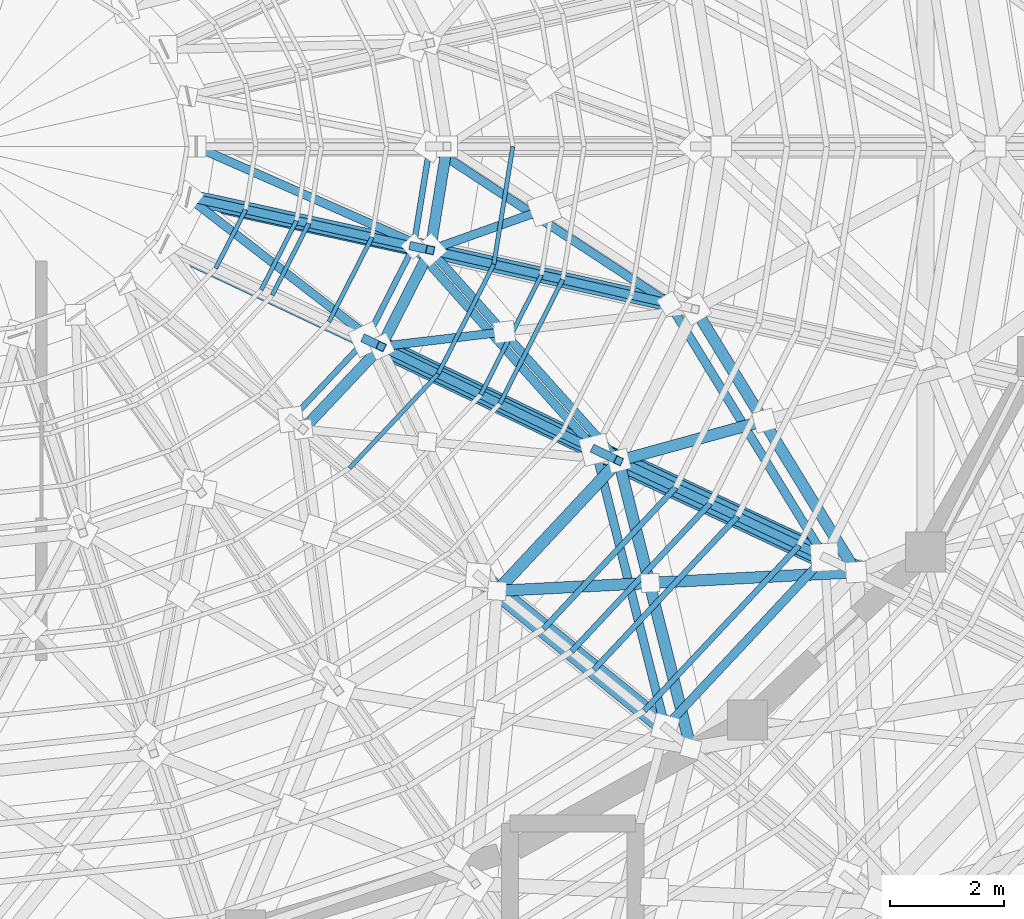
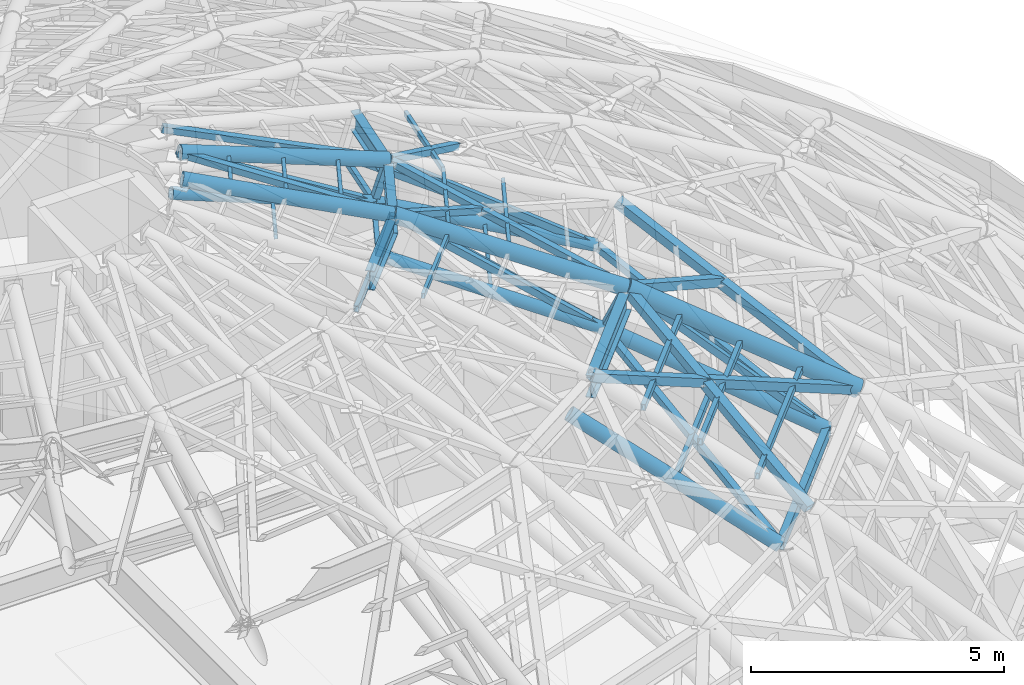
# One storey, part 19 of 50: 47 members, 4 beams.
"""IFC4 building model written with IfcOpenShell, lengths in metres."""

from ifc_helpers import new_model, si_unit, direction, frame, origin, origin_2d, place, context, subcontext, project, spatial, hollow_rectangle, hollow_circle, i_section, extrude, material, material_profile, profile_set, type_object, element, save


model = new_model("IFC4")

# Units and contexts
model_context = context("Model", 3, precision=1e-05, world=origin(), true_north=direction((0.0, 1.0)))
body_context = subcontext(model_context, "Body", "Model", "MODEL_VIEW")
ifc_project = project(units=[si_unit("LENGTHUNIT", "METRE"), si_unit("AREAUNIT", "SQUARE_METRE"), si_unit("VOLUMEUNIT", "CUBIC_METRE"), si_unit("PLANEANGLEUNIT", "RADIAN"), si_unit("MASSUNIT", "GRAM", prefix="KILO")], contexts=[model_context])

# Site, building, storey
site_placement = place(None, origin())
site = spatial("IfcSite", under=ifc_project, at=site_placement, CompositionType="ELEMENT")
building_placement = place(site_placement, origin())
building = spatial("IfcBuilding", under=site, at=building_placement, Name="Cinderbank Siding Concert Hall", CompositionType="ELEMENT")
storey_placement = place(building_placement, frame((0.0, 0.0, 23.699951171875)))
storey = spatial("IfcBuildingStorey", under=building, at=storey_placement, Name="L06", CompositionType="ELEMENT", Elevation=23.699951171875)

# Beams
ifc_material_1 = material(Name="Structural steel AS/NZS 3679.1 Grade 350 (340 MPa)", Category="steel")
ifc_material_profile_1 = material_profile(ifc_material_1, i_section(OverallWidth=0.19091796875, OverallDepth=0.46044921875, WebThickness=0.010009765625, FlangeThickness=0.01611328125, at=origin_2d()), Name="460UB82.1", Category="LoadBearing")
ifc_profile_set_1 = profile_set([ifc_material_profile_1], Name="Structural steel AS/NZS 3679.1 Grade 350 (340 MPa)")
beam_type_1 = type_object("IfcBeamType", Name="BM-UB460H 460UB82.1", PredefinedType="BEAM", material=ifc_profile_set_1)
beam_1_placement = place(storey_placement, frame((128.0810546875, 39.05029296875, 15.769775390625), z_axis=(0.685968385117, 0.72763134527, 0.0), x_axis=(-0.72763134527, 0.685968385117, 0.0)))
element("IfcBeam", 1, at=beam_1_placement, inside=storey, type_object=beam_type_1, Name="L06 Beam BM-UB460H #2107", PredefinedType="BEAM", context=body_context, shape_type="SweptSolid", body=[
    extrude(i_section(OverallWidth=0.19091796875, OverallDepth=0.46044921875, WebThickness=0.010009765625, FlangeThickness=0.01611328125, at=origin_2d()), origin(), (0.0, 0.0, 1.0), 1.992431640625),
])
beam_2_placement = place(storey_placement, frame((129.44775390625, 40.5, 15.769775390625), z_axis=(0.453543458503, 0.89123416185, 0.0), x_axis=(-0.89123416185, 0.453543458503, 0.0)))
element("IfcBeam", 2, at=beam_2_placement, inside=storey, type_object=beam_type_1, Name="L06 Beam BM-UB460H #2108", PredefinedType="BEAM", context=body_context, shape_type="SweptSolid", body=[
    extrude(i_section(OverallWidth=0.19091796875, OverallDepth=0.46044921875, WebThickness=0.010009765625, FlangeThickness=0.01611328125, at=origin_2d()), origin(), (0.0, 0.0, 1.0), 1.894287109375),
])
beam_3_placement = place(storey_placement, frame((130.306884765625, 42.188232421875, 15.769775390625), z_axis=(0.159759377385, 0.987155986325, 0.0), x_axis=(-0.987155986325, 0.159759377385, 0.0)))
element("IfcBeam", 3, at=beam_3_placement, inside=storey, type_object=beam_type_1, Name="L06 Beam BM-UB460H #2109", PredefinedType="BEAM", context=body_context, shape_type="SweptSolid", body=[
    extrude(i_section(OverallWidth=0.19091796875, OverallDepth=0.46044921875, WebThickness=0.010009765625, FlangeThickness=0.01611328125, at=origin_2d()), origin(), (0.0, 0.0, 1.0), 1.83544921875),
])
ifc_material_profile_2 = material_profile(ifc_material_1, i_section(OverallWidth=0.208984375, OverallDepth=0.532958984375, WebThickness=0.01025390625, FlangeThickness=0.015625, at=origin_2d()), Name="530UB92.4", Category="LoadBearing")
ifc_profile_set_2 = profile_set([ifc_material_profile_2], Name="Structural steel AS/NZS 3679.1 Grade 350 (340 MPa)")
beam_type_2 = type_object("IfcBeamType", Name="BM-UB530H 530UB92.4", PredefinedType="BEAM", material=ifc_profile_set_2)
beam_4_placement = place(storey_placement, frame((131.47509765625, 36.2216796875, 13.733642578125), z_axis=(0.682867530153, 0.730542220726, 0.0), x_axis=(-0.730542220726, 0.682867530153, 0.0)))
element("IfcBeam", 4, at=beam_4_placement, inside=storey, type_object=beam_type_2, Name="L06 Beam BM-UB530H #2091", PredefinedType="BEAM", context=body_context, shape_type="SweptSolid", body=[
    extrude(i_section(OverallWidth=0.208984375, OverallDepth=0.532958984375, WebThickness=0.01025390625, FlangeThickness=0.015625, at=origin_2d()), origin(), (0.0, 0.0, 1.0), 3.11865234375),
])

# Members
ifc_material_2 = material(Name="Structural steel hollow section AS/NZS 1163 Grade C350L0 (350 MPa)", Category="steel")
ifc_material_profile_3 = material_profile(ifc_material_2, hollow_rectangle(XDim=0.14990234375, YDim=0.14990234375, WallThickness=0.008056640625, at=origin_2d()), Name="150x150x8.0SHS", Category="LoadBearing")
ifc_profile_set_3 = profile_set([ifc_material_profile_3], Name="Structural steel hollow section AS/NZS 1163 Grade C350L0 (350 MPa)")
member_type_1 = type_object("IfcMemberType", Name="BR-SHS150 150x150x8.0SHS Roof Truss", PredefinedType="BRACE", material=ifc_profile_set_3)
member_1_placement = place(storey_placement, frame((134.4189453125, 33.8330078125, 10.35009765625), z_axis=(-0.214436675536, 0.853800278028, 0.474385916133), x_axis=(-0.969878223295, -0.24359029533, 0.0)))
element("IfcMember", 5, at=member_1_placement, inside=storey, type_object=member_type_1, Name="L06 Diagonal Brace BR-SHS150 #DBRI-BR-SHS150-L06-1367", PredefinedType="BRACE", context=body_context, shape_type="SweptSolid", body=[
    extrude(hollow_rectangle(XDim=0.14990234375, YDim=0.14990234375, WallThickness=0.008056640625, at=origin_2d()), origin(), (0.0, 0.0, 1.0), 5.69140625),
])
member_2_placement = place(storey_placement, frame((137.2099609375, 36.810791015625, 10.35009765625), z_axis=(-0.667487033286, 0.312747530528, 0.675758864199), x_axis=(-0.424281475466, -0.905530358175, 0.0)))
element("IfcMember", 6, at=member_2_placement, inside=storey, type_object=member_type_1, Name="L06 Diagonal Brace BR-SHS150 #DWBD-BR-SHS150-L06-1370", PredefinedType="BRACE", context=body_context, shape_type="SweptSolid", body=[
    extrude(hollow_rectangle(XDim=0.14990234375, YDim=0.14990234375, WallThickness=0.008056640625, at=origin_2d()), origin(), (0.0, 0.0, 1.0), 5.401123046875),
])
member_3_placement = place(storey_placement, frame((137.2099609375, 36.810791015625, 10.35009765625), z_axis=(-0.4635618095, 0.757163440348, 0.460232520986), x_axis=(-0.85285513817, -0.522147597234, 0.0)))
element("IfcMember", 7, at=member_3_placement, inside=storey, type_object=member_type_1, Name="L06 Diagonal Brace BR-SHS150 #DBRI-BR-SHS150-L06-1379", PredefinedType="BRACE", context=body_context, shape_type="SweptSolid", body=[
    extrude(hollow_rectangle(XDim=0.14990234375, YDim=0.14990234375, WallThickness=0.008056640625, at=origin_2d()), origin(), (0.0, 0.0, 1.0), 5.866455078125),
])
member_4_placement = place(storey_placement, frame((133.198486328125, 38.6923828125, 13.050048828125), z_axis=(-0.73504663537, 0.354246259733, 0.578114202641), x_axis=(-0.434148801716, -0.900841172443, 0.0)))
element("IfcMember", 8, at=member_4_placement, inside=storey, type_object=member_type_1, Name="L06 Diagonal Brace BR-SHS150 #DWBD-BR-SHS150-L06-1658", PredefinedType="BRACE", context=body_context, shape_type="SweptSolid", body=[
    extrude(hollow_rectangle(XDim=0.14990234375, YDim=0.14990234375, WallThickness=0.008056640625, at=origin_2d()), origin(), (0.0, 0.0, 1.0), 5.102783203125),
])
member_5_placement = place(storey_placement, frame((133.198486328125, 38.6923828125, 13.050048828125), z_axis=(0.386561752789, -0.183059291585, 0.903913329388), x_axis=(0.427992952164, 0.903782071574, 0.0)))
element("IfcMember", 9, at=member_5_placement, inside=storey, type_object=member_type_1, Name="L06 Diagonal Brace BR-SHS150 #DWBV-BR-SHS150-L06-1661", PredefinedType="BRACE", context=body_context, shape_type="SweptSolid", body=[
    extrude(hollow_rectangle(XDim=0.14990234375, YDim=0.14990234375, WallThickness=0.008056640625, at=origin_2d()), origin(), (0.0, 0.0, 1.0), 1.051025390625),
])
member_6_placement = place(storey_placement, frame((133.604736328125, 38.5, 14.0), z_axis=(-0.617973178116, 0.691125318463, 0.374773191822), x_axis=(-0.745456798918, -0.666553944514, 0.0)))
element("IfcMember", 10, at=member_6_placement, inside=storey, type_object=member_type_1, Name="L06 Diagonal Brace BR-SHS150 #DBRO-BR-SHS150-L06-1665", PredefinedType="BRACE", context=body_context, shape_type="SweptSolid", body=[
    extrude(hollow_rectangle(XDim=0.14990234375, YDim=0.14990234375, WallThickness=0.008056640625, at=origin_2d()), origin(), (0.0, 0.0, 1.0), 5.336669921875),
])
member_7_placement = place(storey_placement, frame((131.57470703125, 40.752685546875, 15.225830078125), z_axis=(-0.933888070446, -0.110947446386, 0.339917248781), x_axis=(0.117972050955, -0.993016915865, 0.0)))
element("IfcMember", 11, at=member_7_placement, inside=storey, type_object=member_type_1, Name="L06 Diagonal Brace BR-SHS150 #DBRO-BR-SHS150-L06-1666-S151", PredefinedType="BRACE", context=body_context, shape_type="SweptSolid", body=[
    extrude(hollow_rectangle(XDim=0.14990234375, YDim=0.14990234375, WallThickness=0.008056640625, at=origin_2d()), origin(), (0.0, 0.0, 1.0), 2.277587890625),
])
member_8_placement = place(storey_placement, frame((133.198486328125, 38.6923828125, 13.050048828125), z_axis=(-0.614771411868, 0.687591286047, 0.386360368701), x_axis=(-0.745479313426, -0.666528764011, 0.0)))
element("IfcMember", 12, at=member_8_placement, inside=storey, type_object=member_type_1, Name="L06 Diagonal Brace BR-SHS150 #DBRI-BR-SHS150-L06-1667", PredefinedType="BRACE", context=body_context, shape_type="SweptSolid", body=[
    extrude(hollow_rectangle(XDim=0.14990234375, YDim=0.14990234375, WallThickness=0.008056640625, at=origin_2d()), origin(), (0.0, 0.0, 1.0), 5.176513671875),
])
member_9_placement = place(storey_placement, frame((134.490478515625, 41.252685546875, 13.050048828125), z_axis=(-0.803944085996, 0.179780213442, 0.566880041497), x_axis=(-0.218232746795, -0.975896750802, 0.0)))
element("IfcMember", 13, at=member_9_placement, inside=storey, type_object=member_type_1, Name="L06 Diagonal Brace BR-SHS150 #DWBD-BR-SHS150-L06-1670", PredefinedType="BRACE", context=body_context, shape_type="SweptSolid", body=[
    extrude(hollow_rectangle(XDim=0.14990234375, YDim=0.14990234375, WallThickness=0.008056640625, at=origin_2d()), origin(), (0.0, 0.0, 1.0), 5.203857421875),
])
member_10_placement = place(storey_placement, frame((132.275146484375, 42.888427734375, 15.22705078125), z_axis=(-0.883617226617, -0.314340635814, 0.347002249996), x_axis=(0.335166438273, -0.942158934923, 0.0)))
element("IfcMember", 14, at=member_10_placement, inside=storey, type_object=member_type_1, Name="L06 Diagonal Brace BR-SHS150 #DBRO-BR-SHS150-L06-1678-S152", PredefinedType="BRACE", context=body_context, shape_type="SweptSolid", body=[
    extrude(hollow_rectangle(XDim=0.14990234375, YDim=0.14990234375, WallThickness=0.008056640625, at=origin_2d()), origin(), (0.0, 0.0, 1.0), 2.2275390625),
])
member_11_placement = place(storey_placement, frame((134.490478515625, 41.252685546875, 13.050048828125), z_axis=(-0.776777634461, 0.509149506092, 0.370652515232), x_axis=(-0.548196669486, -0.83634945541, 0.0)))
element("IfcMember", 15, at=member_11_placement, inside=storey, type_object=member_type_1, Name="L06 Diagonal Brace BR-SHS150 #DBRI-BR-SHS150-L06-1679", PredefinedType="BRACE", context=body_context, shape_type="SweptSolid", body=[
    extrude(hollow_rectangle(XDim=0.14990234375, YDim=0.14990234375, WallThickness=0.008056640625, at=origin_2d()), origin(), (0.0, 0.0, 1.0), 5.39599609375),
])
member_12_placement = place(storey_placement, frame((129.18701171875, 40.62255859375, 15.050048828125), z_axis=(0.262664795398, -0.12346229147, 0.956955729302), x_axis=(0.425388902363, 0.905010652836, 0.0)))
element("IfcMember", 16, at=member_12_placement, inside=storey, type_object=member_type_1, Name="L06 Diagonal Brace BR-SHS150 #DWBV-BR-SHS150-L06-1905", PredefinedType="BRACE", context=body_context, shape_type="SweptSolid", body=[
    extrude(hollow_rectangle(XDim=0.14990234375, YDim=0.14990234375, WallThickness=0.008056640625, at=origin_2d()), origin(), (0.0, 0.0, 1.0), 0.99267578125),
])
member_13_placement = place(storey_placement, frame((129.44775390625, 40.5, 16.0), z_axis=(-0.76644300315, 0.592228836475, 0.248656647145), x_axis=(-0.611432907661, -0.791296277907, 0.0)))
element("IfcMember", 17, at=member_13_placement, inside=storey, type_object=member_type_1, Name="L06 Diagonal Brace BR-SHS150 #DBRO-BR-SHS150-L06-1909", PredefinedType="BRACE", context=body_context, shape_type="SweptSolid", body=[
    extrude(hollow_rectangle(XDim=0.14990234375, YDim=0.14990234375, WallThickness=0.008056640625, at=origin_2d()), origin(), (0.0, 0.0, 1.0), 4.424072265625),
])
member_14_placement = place(storey_placement, frame((130.01611328125, 42.251708984375, 15.050048828125), z_axis=(-0.871638691427, 0.191183253709, 0.451325774922), x_axis=(-0.214244713717, -0.976780017529, 0.0)))
element("IfcMember", 18, at=member_14_placement, inside=storey, type_object=member_type_1, Name="L06 Diagonal Brace BR-SHS150 #DWBD-BR-SHS150-L06-1912", PredefinedType="BRACE", context=body_context, shape_type="SweptSolid", body=[
    extrude(hollow_rectangle(XDim=0.14990234375, YDim=0.14990234375, WallThickness=0.008056640625, at=origin_2d()), origin(), (0.0, 0.0, 1.0), 4.542236328125),
])
member_15_placement = place(storey_placement, frame((130.01611328125, 42.251708984375, 15.050048828125), z_axis=(0.292091130576, -0.063764646473, 0.954262459337), x_axis=(0.213280969958, 0.976990904693, 0.0)))
element("IfcMember", 19, at=member_15_placement, inside=storey, type_object=member_type_1, Name="L06 Diagonal Brace BR-SHS150 #DWBV-BR-SHS150-L06-1915", PredefinedType="BRACE", context=body_context, shape_type="SweptSolid", body=[
    extrude(hollow_rectangle(XDim=0.14990234375, YDim=0.14990234375, WallThickness=0.008056640625, at=origin_2d()), origin(), (0.0, 0.0, 1.0), 0.995361328125),
])
member_16_placement = place(storey_placement, frame((130.306884765625, 42.188232421875, 16.0), z_axis=(-0.88862989198, 0.392017740363, 0.238031523794), x_axis=(-0.403618781795, -0.914927253383, 0.0)))
element("IfcMember", 20, at=member_16_placement, inside=storey, type_object=member_type_1, Name="L06 Diagonal Brace BR-SHS150 #DBRO-BR-SHS150-L06-1919", PredefinedType="BRACE", context=body_context, shape_type="SweptSolid", body=[
    extrude(hollow_rectangle(XDim=0.14990234375, YDim=0.14990234375, WallThickness=0.008056640625, at=origin_2d()), origin(), (0.0, 0.0, 1.0), 4.62158203125),
])
ifc_material_profile_4 = material_profile(ifc_material_2, hollow_rectangle(XDim=0.199951171875, YDim=0.199951171875, WallThickness=0.009033203125, at=origin_2d()), Name="200x200x9.0SHS", Category="LoadBearing")
ifc_profile_set_4 = profile_set([ifc_material_profile_4], Name="Structural steel hollow section AS/NZS 1163 Grade C350L0 (350 MPa)")
member_type_2 = type_object("IfcMemberType", Name="BR-SHS200 200x200x9.0SHS Roof Truss", PredefinedType="BRACE", material=ifc_profile_set_4)
member_17_placement = place(storey_placement, frame((134.869384765625, 33.464111328125, 11.300048828125), z_axis=(-0.216094791752, 0.860499472872, 0.461349865249), x_axis=(-0.969884726621, -0.243564400247, 0.0)))
element("IfcMember", 21, at=member_17_placement, inside=storey, type_object=member_type_2, Name="L06 Diagonal Brace BR-SHS200 #DBRO-BR-SHS200-L06-1365", PredefinedType="BRACE", context=body_context, shape_type="SweptSolid", body=[
    extrude(hollow_rectangle(XDim=0.199951171875, YDim=0.199951171875, WallThickness=0.009033203125, at=origin_2d()), origin(), (0.0, 0.0, 1.0), 5.852294921875),
])
member_18_placement = place(storey_placement, frame((137.76171875, 36.550048828125, 11.300048828125), z_axis=(-0.917787030053, -0.04791209968, 0.394171787638), x_axis=(0.05213295132, -0.998640153102, 0.0)))
element("IfcMember", 22, at=member_18_placement, inside=storey, type_object=member_type_2, Name="L06 Diagonal Brace BR-SHS200 #DBRO-BR-SHS200-L06-1366", PredefinedType="BRACE", context=body_context, shape_type="SweptSolid", body=[
    extrude(hollow_rectangle(XDim=0.199951171875, YDim=0.199951171875, WallThickness=0.009033203125, at=origin_2d()), origin(), (0.0, 0.0, 1.0), 3.9287109375),
])
member_19_placement = place(storey_placement, frame((134.12841796875, 36.3603515625, 12.860595703125), z_axis=(-0.917802828607, -0.047967611948, 0.39412824817), x_axis=(0.052192293555, -0.998637053435, 0.0)))
element("IfcMember", 23, at=member_19_placement, inside=storey, type_object=member_type_2, Name="L06 Diagonal Brace BR-SHS200 #DBRO-BR-SHS200-L06-1366-S126", PredefinedType="BRACE", context=body_context, shape_type="SweptSolid", body=[
    extrude(hollow_rectangle(XDim=0.199951171875, YDim=0.199951171875, WallThickness=0.009033203125, at=origin_2d()), origin(), (0.0, 0.0, 1.0), 2.890869140625),
])
member_20_placement = place(storey_placement, frame((137.76171875, 36.550048828125, 11.300048828125), z_axis=(-0.467005448896, 0.762727021266, 0.447385070976), x_axis=(-0.852836504456, -0.522178031582, 0.0)))
element("IfcMember", 24, at=member_20_placement, inside=storey, type_object=member_type_2, Name="L06 Diagonal Brace BR-SHS200 #DBRO-BR-SHS200-L06-1377", PredefinedType="BRACE", context=body_context, shape_type="SweptSolid", body=[
    extrude(hollow_rectangle(XDim=0.199951171875, YDim=0.199951171875, WallThickness=0.009033203125, at=origin_2d()), origin(), (0.0, 0.0, 1.0), 6.034912109375),
])
member_21_placement = place(storey_placement, frame((136.127685546875, 39.194091796875, 12.860107421875), z_axis=(-0.883946288199, -0.243183597576, 0.39937538413), x_axis=(0.265256234539, -0.964177955586, 0.0)))
element("IfcMember", 25, at=member_21_placement, inside=storey, type_object=member_type_2, Name="L06 Diagonal Brace BR-SHS200 #DBRO-BR-SHS200-L06-1378-S127", PredefinedType="BRACE", context=body_context, shape_type="SweptSolid", body=[
    extrude(hollow_rectangle(XDim=0.199951171875, YDim=0.199951171875, WallThickness=0.009033203125, at=origin_2d()), origin(), (0.0, 0.0, 1.0), 2.854248046875),
])
ifc_material_profile_5 = material_profile(ifc_material_2, hollow_circle(Radius=0.136474609375, WallThickness=0.00927734375, at=origin_2d()), Name="273.1x9.3CHS", Category="LoadBearing")
ifc_profile_set_5 = profile_set([ifc_material_profile_5], Name="Structural steel hollow section AS/NZS 1163 Grade C350L0 (350 MPa)")
member_type_3 = type_object("IfcMemberType", Name="DR-CHS273 273.1x9.3CHS Roof Truss", PredefinedType="RAFTER", material=ifc_profile_set_5)
member_22_placement = place(storey_placement, frame((133.198486328125, 38.6923828125, 13.050048828125), z_axis=(-0.821969865668, 0.395502024099, 0.409809332332), x_axis=(-0.433583104799, -0.90111358398, 0.0)))
element("IfcMember", 26, at=member_22_placement, inside=storey, type_object=member_type_3, Name="L06 Roof Truss Member DR-CHS273 #1657", PredefinedType="RAFTER", context=body_context, shape_type="SweptSolid", body=[
    extrude(hollow_circle(Radius=0.136474609375, WallThickness=0.00927734375, at=origin_2d()), origin(), (0.0, 0.0, 1.0), 4.88037109375),
])
member_23_placement = place(storey_placement, frame((134.490478515625, 41.252685546875, 13.050048828125), z_axis=(-0.894551208045, 0.199732828249, 0.399856141011), x_axis=(-0.217911457285, -0.975968542927, 0.0)))
element("IfcMember", 27, at=member_23_placement, inside=storey, type_object=member_type_3, Name="L06 Roof Truss Member DR-CHS273 #1669", PredefinedType="RAFTER", context=body_context, shape_type="SweptSolid", body=[
    extrude(hollow_circle(Radius=0.136474609375, WallThickness=0.00927734375, at=origin_2d()), origin(), (0.0, 0.0, 1.0), 5.001708984375),
])
member_24_placement = place(storey_placement, frame((130.01611328125, 42.251708984375, 15.050048828125), z_axis=(-0.944905566879, 0.207160378762, 0.253452258132), x_axis=(-0.214152922142, -0.976800146365, 0.0)))
element("IfcMember", 28, at=member_24_placement, inside=storey, type_object=member_type_3, Name="L06 Roof Truss Member DR-CHS273 #1911", PredefinedType="RAFTER", context=body_context, shape_type="SweptSolid", body=[
    extrude(hollow_circle(Radius=0.136474609375, WallThickness=0.00927734375, at=origin_2d()), origin(), (0.0, 0.0, 1.0), 4.34033203125),
])
ifc_material_profile_6 = material_profile(ifc_material_2, hollow_circle(Radius=0.161865234375, WallThickness=0.0126953125, at=origin_2d()), Name="323.9x12.7CHS", Category="LoadBearing")
ifc_profile_set_6 = profile_set([ifc_material_profile_6], Name="Structural steel hollow section AS/NZS 1163 Grade C350L0 (350 MPa)")
member_type_4 = type_object("IfcMemberType", Name="DR-CHS323 323.9x12.7CHS Roof Truss", PredefinedType="RAFTER", material=ifc_profile_set_6)
member_25_placement = place(storey_placement, frame((134.4189453125, 33.8330078125, 10.35009765625), z_axis=(-0.653777773802, 0.531170075614, 0.53891833635), x_axis=(-0.630575201595, -0.776128156385, 0.0)))
element("IfcMember", 29, at=member_25_placement, inside=storey, type_object=member_type_4, Name="L06 Roof Truss Member DR-CHS323 #1357", PredefinedType="RAFTER", context=body_context, shape_type="SweptSolid", body=[
    extrude(hollow_circle(Radius=0.161865234375, WallThickness=0.0126953125, at=origin_2d()), origin(), (0.0, 0.0, 1.0), 5.010009765625),
])
member_26_placement = place(storey_placement, frame((137.2099609375, 36.810791015625, 10.35009765625), z_axis=(-0.773125439338, 0.362636343557, 0.520357509199), x_axis=(-0.424658323183, -0.905353692516, 0.0)))
element("IfcMember", 30, at=member_26_placement, inside=storey, type_object=member_type_4, Name="L06 Roof Truss Member DR-CHS323 #1369", PredefinedType="RAFTER", context=body_context, shape_type="SweptSolid", body=[
    extrude(hollow_circle(Radius=0.161865234375, WallThickness=0.0126953125, at=origin_2d()), origin(), (0.0, 0.0, 1.0), 5.188720703125),
])
member_27_placement = place(storey_placement, frame((129.44775390625, 40.5, 16.0), z_axis=(-0.874866085469, 0.413292769609, 0.252583489337), x_axis=(-0.427142831717, -0.904184163383, 0.0)))
element("IfcMember", 31, at=member_27_placement, inside=storey, type_object=member_type_4, Name="L06 Roof Truss Member DR-CHS323 #1900", PredefinedType="RAFTER", context=body_context, shape_type="SweptSolid", body=[
    extrude(hollow_circle(Radius=0.161865234375, WallThickness=0.0126953125, at=origin_2d()), origin(), (0.0, 0.0, 1.0), 4.323486328125),
])
member_28_placement = place(storey_placement, frame((130.306884765625, 42.188232421875, 16.0), z_axis=(-0.947001175826, 0.207601681046, 0.245133259699), x_axis=(-0.214135071865, -0.976804059675, 0.0)))
element("IfcMember", 32, at=member_28_placement, inside=storey, type_object=member_type_4, Name="L06 Roof Truss Member DR-CHS323 #1910", PredefinedType="RAFTER", context=body_context, shape_type="SweptSolid", body=[
    extrude(hollow_circle(Radius=0.161865234375, WallThickness=0.0126953125, at=origin_2d()), origin(), (0.0, 0.0, 1.0), 4.455810546875),
])
ifc_material_profile_7 = material_profile(ifc_material_2, hollow_circle(Radius=0.177734375, WallThickness=0.0126953125, at=origin_2d()), Name="355.6x12.7CHS", Category="LoadBearing")
ifc_profile_set_7 = profile_set([ifc_material_profile_7], Name="Structural steel hollow section AS/NZS 1163 Grade C350L0 (350 MPa)")
member_type_5 = type_object("IfcMemberType", Name="DR-CHS355 355.6x12.7CHS Roof Truss", PredefinedType="RAFTER", material=ifc_profile_set_7)
member_29_placement = place(storey_placement, frame((133.604736328125, 38.5, 14.0), z_axis=(-0.826771188682, 0.397774685951, 0.397774685951), x_axis=(-0.433549862305, -0.901129578304, 0.0)))
element("IfcMember", 33, at=member_29_placement, inside=storey, type_object=member_type_5, Name="L06 Roof Truss Member DR-CHS355 #1656", PredefinedType="RAFTER", context=body_context, shape_type="SweptSolid", body=[
    extrude(hollow_circle(Radius=0.177734375, WallThickness=0.0126953125, at=origin_2d()), origin(), (0.0, 0.0, 1.0), 5.028076171875),
])
ifc_material_profile_8 = material_profile(ifc_material_2, hollow_circle(Radius=0.203125, WallThickness=0.01611328125, at=origin_2d()), Name="406.4x16.0CHS", Category="LoadBearing")
ifc_profile_set_8 = profile_set([ifc_material_profile_8], Name="Structural steel hollow section AS/NZS 1163 Grade C350L0 (350 MPa)")
member_type_6 = type_object("IfcMemberType", Name="DR-CHS406 406.4x16.0CHS Roof Truss", PredefinedType="RAFTER", material=ifc_profile_set_8)
member_30_placement = place(storey_placement, frame((137.76171875, 36.550048828125, 11.300048828125), z_axis=(-0.780421117577, 0.366078784641, 0.506881842913), x_axis=(-0.424677707241, -0.905344600124, 0.0)))
element("IfcMember", 34, at=member_30_placement, inside=storey, type_object=member_type_6, Name="L06 Roof Truss Member DR-CHS406 #1368", PredefinedType="RAFTER", context=body_context, shape_type="SweptSolid", body=[
    extrude(hollow_circle(Radius=0.203125, WallThickness=0.01611328125, at=origin_2d()), origin(), (0.0, 0.0, 1.0), 5.32666015625),
])
ifc_material_profile_9 = material_profile(ifc_material_2, hollow_rectangle(XDim=0.074951171875, YDim=0.125, WallThickness=0.0048828125, at=origin_2d()), Name="125x75x5.0RHS", Category="LoadBearing")
ifc_profile_set_9 = profile_set([ifc_material_profile_9], Name="Structural steel hollow section AS/NZS 1163 Grade C350L0 (350 MPa)")
member_type_7 = type_object("IfcMemberType", Name="PR-RHS125 125x75x5.0RHS Roof Truss", PredefinedType="PURLIN", material=ifc_profile_set_9)
member_31_placement = place(storey_placement, frame((128.895751953125, 38.37158203125, 15.52001953125), z_axis=(0.684974166446, 0.728567355363, 0.0), x_axis=(-0.728567355363, 0.684974166446, 0.0)))
element("IfcMember", 35, at=member_31_placement, inside=storey, type_object=member_type_7, Name="L06 Roof Truss Member PR-RHS125 #1652", PredefinedType="PURLIN", context=body_context, shape_type="SweptSolid", body=[
    extrude(hollow_rectangle(XDim=0.074951171875, YDim=0.125, WallThickness=0.0048828125, at=origin_2d()), origin(), (0.0, 0.0, 1.0), 2.2626953125),
])
member_32_placement = place(storey_placement, frame((131.19287109375, 39.657470703125, 14.050048828125), z_axis=(0.451699999608, 0.892169888729, 0.0), x_axis=(-0.892169888729, 0.451699999608, 0.0)))
element("IfcMember", 36, at=member_32_placement, inside=storey, type_object=member_type_7, Name="L06 Roof Truss Member PR-RHS125 #1660", PredefinedType="PURLIN", context=body_context, shape_type="SweptSolid", body=[
    extrude(hollow_rectangle(XDim=0.074951171875, YDim=0.125, WallThickness=0.0048828125, at=origin_2d()), origin(), (0.0, 0.0, 1.0), 2.347900390625),
])
member_33_placement = place(storey_placement, frame((131.5263671875, 39.5, 15.0), z_axis=(0.451663469809, 0.892188382597, 0.0), x_axis=(-0.892188382597, 0.451663469809, 0.0)))
element("IfcMember", 37, at=member_33_placement, inside=storey, type_object=member_type_7, Name="L06 Roof Truss Member PR-RHS125 #1663", PredefinedType="PURLIN", context=body_context, shape_type="SweptSolid", body=[
    extrude(hollow_rectangle(XDim=0.074951171875, YDim=0.125, WallThickness=0.0048828125, at=origin_2d()), origin(), (0.0, 0.0, 1.0), 2.432861328125),
])
member_34_placement = place(storey_placement, frame((130.445556640625, 40.02001953125, 15.52001953125), z_axis=(0.452513397216, 0.891757604588, 0.0), x_axis=(-0.891757604588, 0.452513397216, 0.0)))
element("IfcMember", 38, at=member_34_placement, inside=storey, type_object=member_type_7, Name="L06 Roof Truss Member PR-RHS125 #1664", PredefinedType="PURLIN", context=body_context, shape_type="SweptSolid", body=[
    extrude(hollow_rectangle(XDim=0.074951171875, YDim=0.125, WallThickness=0.0048828125, at=origin_2d()), origin(), (0.0, 0.0, 1.0), 2.152587890625),
])
member_35_placement = place(storey_placement, frame((131.419677734375, 41.939697265625, 15.52001953125), z_axis=(0.159217726592, 0.987243493541, 0.0), x_axis=(-0.987243493541, 0.159217726592, 0.0)))
element("IfcMember", 39, at=member_35_placement, inside=storey, type_object=member_type_7, Name="L06 Roof Truss Member PR-RHS125 #1676", PredefinedType="PURLIN", context=body_context, shape_type="SweptSolid", body=[
    extrude(hollow_rectangle(XDim=0.074951171875, YDim=0.125, WallThickness=0.0048828125, at=origin_2d()), origin(), (0.0, 0.0, 1.0), 2.0869140625),
])
member_36_placement = place(storey_placement, frame((127.348388671875, 41.490966796875, 15.60009765625), z_axis=(0.454243375315, 0.890877632441, 0.0), x_axis=(-0.890877632441, 0.454243375315, 0.0)))
element("IfcMember", 40, at=member_36_placement, inside=storey, type_object=member_type_7, Name="L06 Roof Truss Member PR-RHS125 #1904", PredefinedType="PURLIN", context=body_context, shape_type="SweptSolid", body=[
    extrude(hollow_rectangle(XDim=0.074951171875, YDim=0.125, WallThickness=0.0048828125, at=origin_2d()), origin(), (0.0, 0.0, 1.0), 1.358642578125),
])
member_37_placement = place(storey_placement, frame((128.533203125, 40.931884765625, 16.26416015625), z_axis=(0.453903761928, 0.891050713993, 0.0), x_axis=(-0.891050713993, 0.453903761928, 0.0)))
element("IfcMember", 41, at=member_37_placement, inside=storey, type_object=member_type_7, Name="L06 Roof Truss Member PR-RHS125 #1906", PredefinedType="PURLIN", context=body_context, shape_type="SweptSolid", body=[
    extrude(hollow_rectangle(XDim=0.074951171875, YDim=0.125, WallThickness=0.0048828125, at=origin_2d()), origin(), (0.0, 0.0, 1.0), 1.660888671875),
])
member_38_placement = place(storey_placement, frame((127.54248046875, 41.39990234375, 16.550048828125), z_axis=(0.454136172601, 0.890932285157, 0.0), x_axis=(-0.890932285157, 0.454136172601, 0.0)))
element("IfcMember", 42, at=member_38_placement, inside=storey, type_object=member_type_7, Name="L06 Roof Truss Member PR-RHS125 #1907", PredefinedType="PURLIN", context=body_context, shape_type="SweptSolid", body=[
    extrude(hollow_rectangle(XDim=0.074951171875, YDim=0.125, WallThickness=0.0048828125, at=origin_2d()), origin(), (0.0, 0.0, 1.0), 1.407958984375),
])
member_39_placement = place(storey_placement, frame((126.5517578125, 41.867919921875, 16.8359375), z_axis=(0.454723641281, 0.890632589826, 0.0), x_axis=(-0.890632589826, 0.454723641281, 0.0)))
element("IfcMember", 43, at=member_39_placement, inside=storey, type_object=member_type_7, Name="L06 Roof Truss Member PR-RHS125 #1908", PredefinedType="PURLIN", context=body_context, shape_type="SweptSolid", body=[
    extrude(hollow_rectangle(XDim=0.074951171875, YDim=0.125, WallThickness=0.0048828125, at=origin_2d()), origin(), (0.0, 0.0, 1.0), 1.15478515625),
])
ifc_material_profile_10 = material_profile(ifc_material_2, hollow_rectangle(XDim=0.10009765625, YDim=0.14990234375, WallThickness=0.006103515625, at=origin_2d()), Name="150x100x6.0RHS", Category="LoadBearing")
ifc_profile_set_10 = profile_set([ifc_material_profile_10], Name="Structural steel hollow section AS/NZS 1163 Grade C350L0 (350 MPa)")
member_type_8 = type_object("IfcMemberType", Name="PR-RHS150 150x100x6.0RHS Roof Truss", PredefinedType="PURLIN", material=ifc_profile_set_10)
member_40_placement = place(storey_placement, frame((132.78125, 35.16357421875, 11.699951171875), z_axis=(0.683448492996, 0.729998737959, 0.0), x_axis=(-0.729998737959, 0.683448492996, 0.0)))
element("IfcMember", 44, at=member_40_placement, inside=storey, type_object=member_type_8, Name="L06 Roof Truss Member PR-RHS150 #1360", PredefinedType="PURLIN", context=body_context, shape_type="SweptSolid", body=[
    extrude(hollow_rectangle(XDim=0.10009765625, YDim=0.14990234375, WallThickness=0.006103515625, at=origin_2d()), origin(), (0.0, 0.0, 1.0), 3.54541015625),
])
member_41_placement = place(storey_placement, frame((134.0546875, 34.1259765625, 11.947998046875), z_axis=(0.683658272234, 0.729802279255, 0.0), x_axis=(-0.729802279255, 0.683658272234, 0.0)))
element("IfcMember", 45, at=member_41_placement, inside=storey, type_object=member_type_8, Name="L06 Roof Truss Member PR-RHS150 #1362", PredefinedType="PURLIN", context=body_context, shape_type="SweptSolid", body=[
    extrude(hollow_rectangle(XDim=0.10009765625, YDim=0.14990234375, WallThickness=0.006103515625, at=origin_2d()), origin(), (0.0, 0.0, 1.0), 3.962890625),
])
member_42_placement = place(storey_placement, frame((133.17236328125, 34.843017578125, 12.650146484375), z_axis=(0.683430316367, 0.730015755084, 0.0), x_axis=(-0.730015755084, 0.683430316367, 0.0)))
element("IfcMember", 46, at=member_42_placement, inside=storey, type_object=member_type_8, Name="L06 Roof Truss Member PR-RHS150 #1363", PredefinedType="PURLIN", context=body_context, shape_type="SweptSolid", body=[
    extrude(hollow_rectangle(XDim=0.10009765625, YDim=0.14990234375, WallThickness=0.006103515625, at=origin_2d()), origin(), (0.0, 0.0, 1.0), 3.673828125),
])
member_43_placement = place(storey_placement, frame((132.289794921875, 35.56005859375, 13.35205078125), z_axis=(0.683165814119, 0.730263288424, 0.0), x_axis=(-0.730263288424, 0.683165814119, 0.0)))
element("IfcMember", 47, at=member_43_placement, inside=storey, type_object=member_type_8, Name="L06 Roof Truss Member PR-RHS150 #1364", PredefinedType="PURLIN", context=body_context, shape_type="SweptSolid", body=[
    extrude(hollow_rectangle(XDim=0.10009765625, YDim=0.14990234375, WallThickness=0.006103515625, at=origin_2d()), origin(), (0.0, 0.0, 1.0), 3.385009765625),
])
member_44_placement = place(storey_placement, frame((127.868408203125, 39.223388671875, 15.050048828125), z_axis=(0.685843830053, 0.727748748386, 0.0), x_axis=(-0.727748748386, 0.685843830053, 0.0)))
element("IfcMember", 48, at=member_44_placement, inside=storey, type_object=member_type_8, Name="L06 Roof Truss Member PR-RHS150 #1647", PredefinedType="PURLIN", context=body_context, shape_type="SweptSolid", body=[
    extrude(hollow_rectangle(XDim=0.10009765625, YDim=0.14990234375, WallThickness=0.006103515625, at=origin_2d()), origin(), (0.0, 0.0, 1.0), 1.922607421875),
])
member_45_placement = place(storey_placement, frame((129.18701171875, 40.62255859375, 15.050048828125), z_axis=(0.453559612669, 0.891225940913, 0.0), x_axis=(-0.891225940913, 0.453559612669, 0.0)))
element("IfcMember", 49, at=member_45_placement, inside=storey, type_object=member_type_8, Name="L06 Roof Truss Member PR-RHS150 #1659", PredefinedType="PURLIN", context=body_context, shape_type="SweptSolid", body=[
    extrude(hollow_rectangle(XDim=0.10009765625, YDim=0.14990234375, WallThickness=0.006103515625, at=origin_2d()), origin(), (0.0, 0.0, 1.0), 1.827880859375),
])
member_46_placement = place(storey_placement, frame((130.01611328125, 42.251708984375, 15.050048828125), z_axis=(0.159769840186, 0.987154292989, 0.0), x_axis=(-0.987154292989, 0.159769840186, 0.0)))
element("IfcMember", 50, at=member_46_placement, inside=storey, type_object=member_type_8, Name="L06 Roof Truss Member PR-RHS150 #1671", PredefinedType="PURLIN", context=body_context, shape_type="SweptSolid", body=[
    extrude(hollow_rectangle(XDim=0.10009765625, YDim=0.14990234375, WallThickness=0.006103515625, at=origin_2d()), origin(), (0.0, 0.0, 1.0), 1.77099609375),
])
ifc_material_profile_11 = material_profile(ifc_material_2, hollow_rectangle(XDim=0.14990234375, YDim=0.25, WallThickness=0.009033203125, at=origin_2d()), Name="250x150x9.0RHS", Category="LoadBearing")
ifc_profile_set_11 = profile_set([ifc_material_profile_11], Name="Structural steel hollow section AS/NZS 1163 Grade C350L0 (350 MPa)")
member_type_9 = type_object("IfcMemberType", Name="PR-RHS250 250x150x9.0RHS Roof Truss", PredefinedType="PURLIN", material=ifc_profile_set_11)
member_47_placement = place(storey_placement, frame((134.4189453125, 33.8330078125, 10.35009765625), z_axis=(0.683855561271, 0.729617414347, 0.0), x_axis=(-0.729617414347, 0.683855561271, 0.0)))
element("IfcMember", 51, at=member_47_placement, inside=storey, type_object=member_type_9, Name="L06 Roof Truss Member PR-RHS250 #1071", PredefinedType="PURLIN", context=body_context, shape_type="SweptSolid", body=[
    extrude(hollow_rectangle(XDim=0.14990234375, YDim=0.25, WallThickness=0.009033203125, at=origin_2d()), origin(), (0.0, 0.0, 1.0), 4.081298828125),
])

save(model, "model.ifc")
